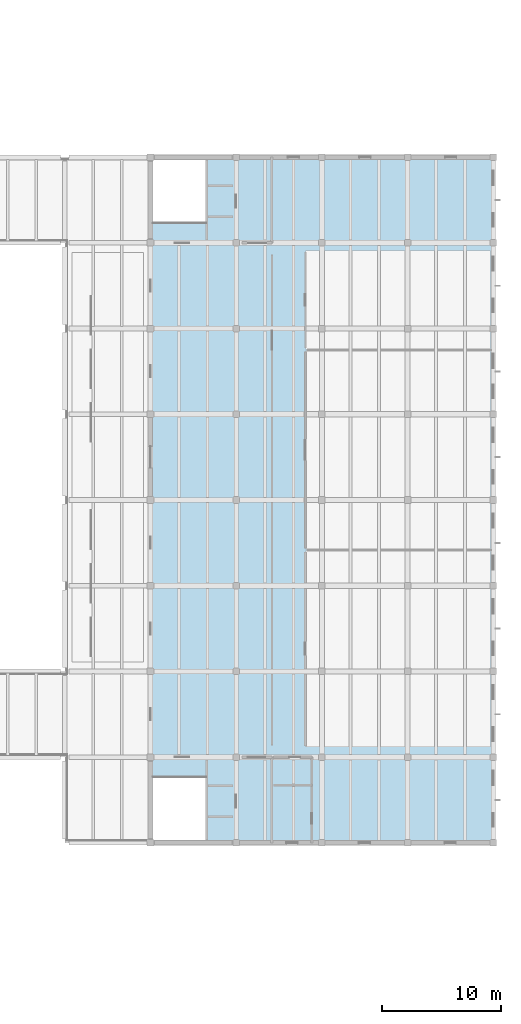
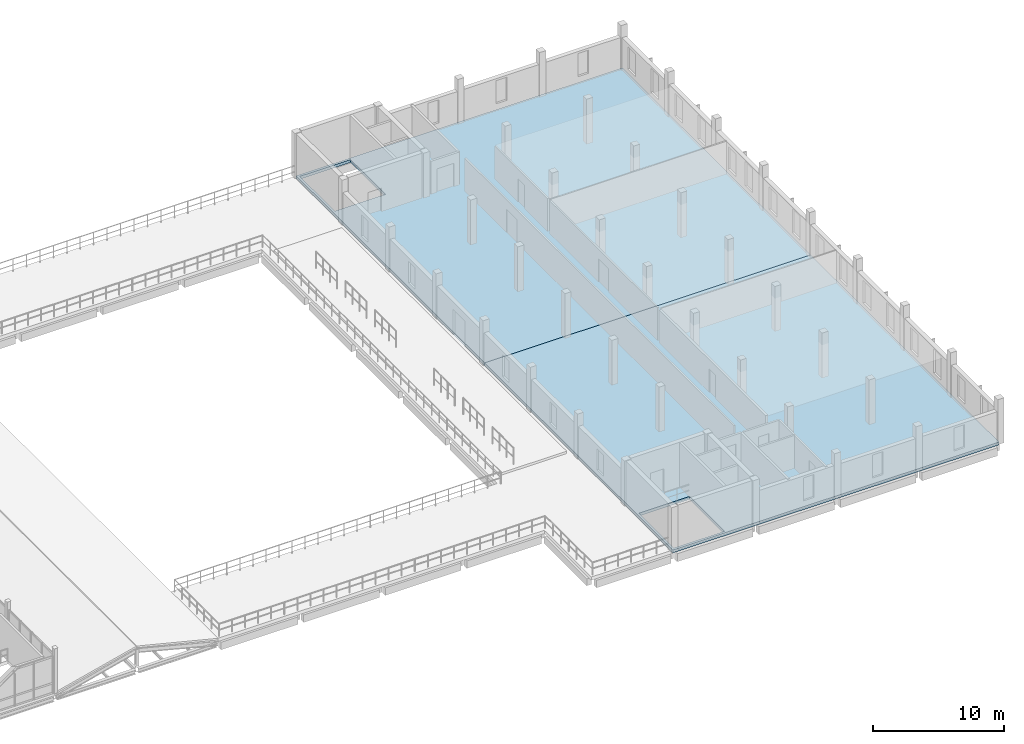
# One storey, part 44 of 63: 2 slabs.
"""IFC4 building model written with IfcOpenShell, lengths in metres."""

from ifc_helpers import new_model, si_unit, direction, frame, origin, place, context, subcontext, project, spatial, polyline, outline, extrude, material, layer, layer_set, type_object, element, save


model = new_model("IFC4")

# Units and contexts
model_context = context("Model", 3, precision=1e-05, world=origin(), true_north=direction((0.0, 1.0)))
body_context = subcontext(model_context, "Body", "Model", "MODEL_VIEW")
ifc_project = project(units=[si_unit("LENGTHUNIT", "METRE"), si_unit("AREAUNIT", "SQUARE_METRE"), si_unit("VOLUMEUNIT", "CUBIC_METRE"), si_unit("PLANEANGLEUNIT", "RADIAN"), si_unit("MASSUNIT", "GRAM", prefix="KILO")], contexts=[model_context])

# Site, building, storey
site_placement = place(None, origin())
site = spatial("IfcSite", under=ifc_project, at=site_placement, CompositionType="ELEMENT")
building_placement = place(site_placement, origin())
building = spatial("IfcBuilding", under=site, at=building_placement, Name="Qiaolan Assembly House", CompositionType="ELEMENT")
storey_placement = place(building_placement, frame((0.0, 0.0, 14.39990234375)))
storey = spatial("IfcBuildingStorey", under=building, at=storey_placement, Name="L03", CompositionType="ELEMENT", Elevation=14.39990234375)

# Slabs
ifc_material = material(Name="Concrete C40/50", Category="concrete")
ifc_layer = layer(ifc_material, 0.27001953125)
ifc_layer_set = layer_set([ifc_layer], Name="Concrete C40/50")
slab_type = type_object("IfcSlabType", Name="SLB-LIB-STACK-270", PredefinedType="FLOOR", material=ifc_layer_set)
slab_1_placement = place(storey_placement, frame((0.0, 0.0, -0.27001953125)))
element("IfcSlab", 1, at=slab_1_placement, inside=storey, type_object=slab_type, Name="FS-05 Library Rare Book South Slab L03", PredefinedType="FLOOR", context=body_context, shape_type="SweptSolid", body=[
    extrude(outline(polyline([(144.0, 28.800048828125), (172.800048828125, 28.800048828125), (172.800048828125, 57.60009765625), (144.0, 57.60009765625), (144.0, 28.800048828125)]), holes=[polyline([(144.199951171875, 29.0), (144.199951171875, 34.35009765625), (148.679931640625, 34.35009765625), (148.679931640625, 29.0), (144.199951171875, 29.0)])]), origin(), (0.0, 0.0, 1.0), 0.27001953125),
])
slab_2_placement = place(storey_placement, frame((0.0, 0.0, -0.27001953125)))
element("IfcSlab", 2, at=slab_2_placement, inside=storey, type_object=slab_type, Name="FS-05 Library Rare Book North Slab L03", PredefinedType="FLOOR", context=body_context, shape_type="SweptSolid", body=[
    extrude(outline(polyline([(144.0, 57.60009765625), (172.800048828125, 57.60009765625), (172.800048828125, 86.39990234375), (144.0, 86.39990234375), (144.0, 57.60009765625)]), holes=[polyline([(144.199951171875, 80.85009765625), (144.199951171875, 86.199951171875), (148.679931640625, 86.199951171875), (148.679931640625, 80.85009765625), (144.199951171875, 80.85009765625)])]), origin(), (0.0, 0.0, 1.0), 0.27001953125),
])

save(model, "model.ifc")
